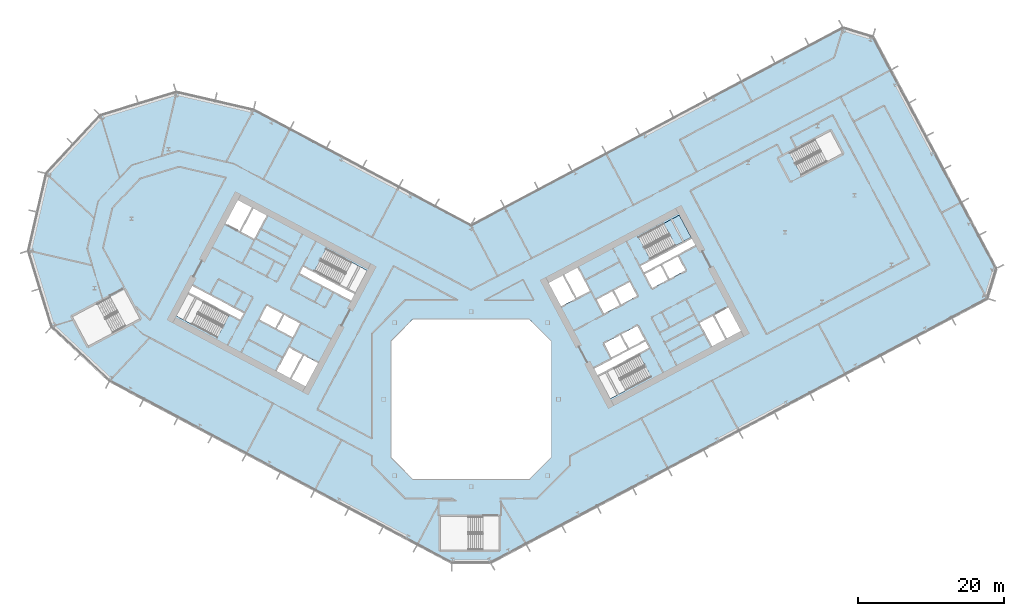
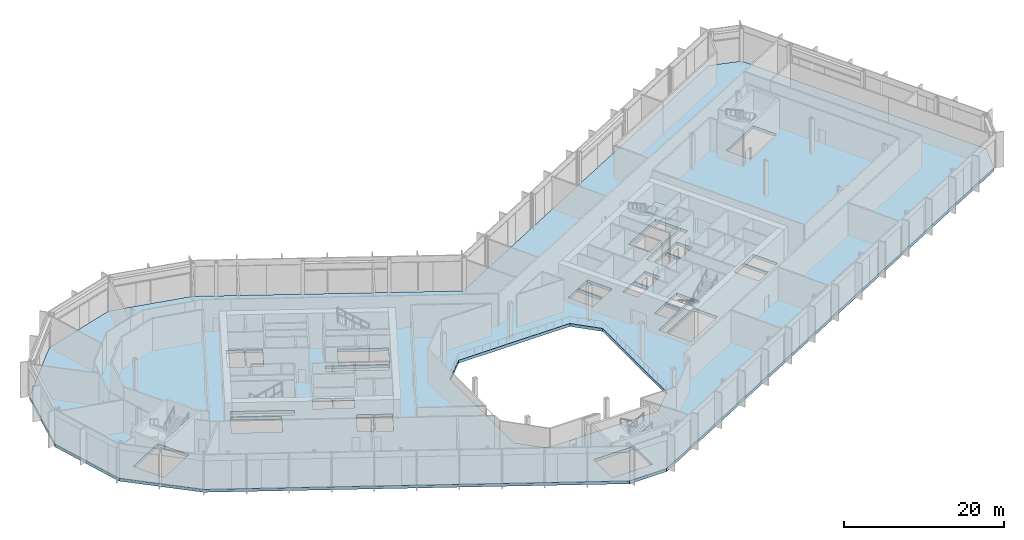
# One storey, part 10 of 31: 2 slabs, 1 element without a shape of its own.
"""IFC4 building model written with IfcOpenShell, lengths in metres."""

from ifc_helpers import new_model, si_unit, direction, frame, origin, place, context, subcontext, project, spatial, polyline, outline, extrude, material, layer, layer_set, type_object, element, aggregate, save


model = new_model("IFC4")

# Units and contexts
model_context = context("Model", 3, precision=1e-05, world=origin(), true_north=direction((0.0, 1.0)))
body_context = subcontext(model_context, "Body", "Model", "MODEL_VIEW")
ifc_project = project(units=[si_unit("LENGTHUNIT", "METRE"), si_unit("AREAUNIT", "SQUARE_METRE"), si_unit("VOLUMEUNIT", "CUBIC_METRE"), si_unit("PLANEANGLEUNIT", "RADIAN"), si_unit("MASSUNIT", "GRAM", prefix="KILO")], contexts=[model_context])

# Site, building, storey
site_placement = place(None, origin())
site = spatial("IfcSite", under=ifc_project, at=site_placement, CompositionType="ELEMENT")
building_placement = place(site_placement, origin())
building = spatial("IfcBuilding", under=site, at=building_placement, Name="Cormorant Relay Tower", CompositionType="ELEMENT")
storey_placement = place(building_placement, frame((0.0, 0.0, 12.199951171875)))
storey = spatial("IfcBuildingStorey", under=building, at=storey_placement, Name="L02", CompositionType="ELEMENT", Elevation=12.199951171875)

# Stair, slab
ifc_material_1 = material(Name="Concrete 40 MPa", Category="concrete")
stair_type = type_object("IfcStairType", Name="Exit stair 1500", PredefinedType="HALF_TURN_STAIR", material=ifc_material_1)
stair_placement = place(storey_placement, origin())
stair = element("IfcStair", 1, at=stair_placement, inside=storey, type_object=stair_type, Name="L02 Stair", PredefinedType="HALF_TURN_STAIR")
ifc_material_2 = material(Name="Concrete 40 MPa", Category="concrete")
ifc_layer_1 = layer(ifc_material_2, 0.199951171875)
ifc_layer_set_1 = layer_set([ifc_layer_1], Name="Exit stair landing 200")
slab_type_1 = type_object("IfcSlabType", Name="Exit stair landing 200", PredefinedType="LANDING", material=ifc_layer_set_1)
slab_1_placement = place(storey_placement, frame((0.0, 0.0, 2.5)))
slab_1 = element("IfcSlab", 2, at=slab_1_placement, type_object=slab_type_1, Name="B2 landing 1", PredefinedType="LANDING", context=body_context, shape_type="SweptSolid", body=[
    extrude(outline(polyline([(28.05322265625, 21.088623046875), (30.19873046875, 22.2294921875), (28.5791015625, 25.275634765625), (26.43359375, 24.134765625), (28.05322265625, 21.088623046875)])), origin(), (0.0, 0.0, 1.0), 0.199951171875),
])
aggregate(stair, [slab_1])

# Slab
ifc_material_3 = material(Name="Concrete 40 MPa", Category="concrete")
ifc_layer_2 = layer(ifc_material_3, 0.449951171875)
ifc_layer_set_2 = layer_set([ifc_layer_2], Name="Flat plate 450")
slab_type_2 = type_object("IfcSlabType", Name="Flat plate 450", PredefinedType="FLOOR", material=ifc_layer_set_2)
slab_2_placement = place(storey_placement, frame((0.0, 0.0, -0.449951171875)))
element("IfcSlab", 3, at=slab_2_placement, inside=storey, type_object=slab_type_2, Name="Floor slab L02", PredefinedType="FLOOR", context=body_context, shape_type="SweptSolid", body=[
    extrude(outline(polyline([(-60.7197265625, 20.393310546875), (-58.2744140625, 30.985107421875), (-50.86083984375, 38.935302734375), (-40.465576171875, 42.11328125), (-29.873779296875, 39.668212890625), (0.0, 23.783935546875), (51.064453125, 50.935302734375), (55.12158203125, 49.695068359375), (72.022705078125, 17.908935546875), (70.7822265625, 13.8515625), (2.648681640625, -22.37548828125), (-2.648681640625, -22.37548828125), (-49.591552734375, 2.584228515625), (-57.541748046875, 9.997802734375), (-60.7197265625, 20.393310546875)]), holes=[polyline([(11.0, -8.0), (11.0, 8.0), (8.0, 11.0), (-8.0, 11.0), (-11.0, 8.0), (-11.0, -8.0), (-8.0, -11.0), (8.0, -11.0), (11.0, -8.0)]), polyline([(-4.199951171875, -16.125), (-4.199951171875, -20.675048828125), (1.60009765625, -20.675048828125), (1.60009765625, -16.125), (-4.199951171875, -16.125)]), polyline([(-22.95458984375, 6.03271484375), (-24.668212890625, 2.81005859375), (-22.725830078125, 1.777099609375), (-21.01220703125, 5.0), (-23.04296875, 6.07958984375), (-22.95458984375, 6.03271484375)]), polyline([(-24.985595703125, 7.112548828125), (-26.69921875, 3.889892578125), (-24.844970703125, 2.90380859375), (-23.13134765625, 6.126708984375), (-23.04296875, 6.07958984375), (-24.985595703125, 7.112548828125)]), polyline([(-24.481201171875, 8.48681640625), (-23.448486328125, 10.42919921875), (-25.656005859375, 11.602783203125), (-26.688720703125, 9.660400390625), (-24.481201171875, 8.48681640625)]), polyline([(-49.57861328125, 14.0537109375), (-54.69970703125, 11.330810546875), (-52.563720703125, 7.3134765625), (-47.442626953125, 10.036376953125), (-49.57861328125, 14.0537109375)]), polyline([(-25.83251953125, 11.69677734375), (-28.039794921875, 12.870361328125), (-29.07275390625, 10.927978515625), (-26.865234375, 9.75439453125), (-25.83251953125, 11.69677734375)]), polyline([(-38.847900390625, 14.483154296875), (-40.46728515625, 11.43701171875), (-34.860595703125, 8.455810546875), (-33.240966796875, 11.502197265625), (-38.847900390625, 14.483154296875)]), polyline([(-38.260986328125, 15.5869140625), (-38.75390625, 14.659912109375), (-31.690185546875, 10.904052734375), (-31.197265625, 11.8310546875), (-38.260986328125, 15.5869140625)]), polyline([(14.3056640625, 13.779052734375), (12.592041015625, 17.001708984375), (10.649658203125, 15.968994140625), (12.36328125, 12.74609375), (14.39404296875, 13.825927734375), (14.3056640625, 13.779052734375)]), polyline([(16.33642578125, 14.85888671875), (14.622802734375, 18.08154296875), (12.768798828125, 17.095703125), (14.482421875, 13.872802734375), (14.39404296875, 13.825927734375), (16.33642578125, 14.85888671875)]), polyline([(-16.481689453125, 13.520263671875), (-15.989013671875, 14.447509765625), (-23.052490234375, 18.203125), (-23.54541015625, 17.276123046875), (-16.481689453125, 13.520263671875)]), polyline([(-21.501708984375, 17.605224609375), (-15.89501953125, 14.6240234375), (-14.275390625, 17.670166015625), (-19.882080078125, 20.6513671875), (-21.501708984375, 17.605224609375)]), polyline([(-31.611572265625, 22.980712890625), (-29.75732421875, 21.99462890625), (-28.043701171875, 25.217529296875), (-29.89794921875, 26.203369140625), (-31.611572265625, 22.980712890625)]), polyline([(-33.73046875, 24.107421875), (-31.7880859375, 23.074462890625), (-30.074462890625, 26.29736328125), (-32.01708984375, 27.330078125), (-33.73046875, 24.107421875)]), polyline([(23.087158203125, 6.10302734375), (17.48046875, 3.1220703125), (19.10009765625, 0.07568359375), (24.706787109375, 3.056884765625), (23.087158203125, 6.10302734375)]), polyline([(16.8935546875, 4.2255859375), (17.386474609375, 3.298583984375), (24.4501953125, 7.054443359375), (23.957275390625, 7.9814453125), (16.8935546875, 4.2255859375)]), polyline([(20.446533203125, 8.8330078125), (18.239013671875, 7.6591796875), (19.27197265625, 5.716796875), (21.479248046875, 6.890380859375), (20.446533203125, 8.8330078125)]), polyline([(20.623046875, 8.927001953125), (21.656005859375, 6.984375), (23.86328125, 8.158203125), (22.830322265625, 10.1005859375), (20.623046875, 8.927001953125)]), polyline([(33.197021484375, 11.478515625), (31.3427734375, 10.49267578125), (33.056396484375, 7.27001953125), (34.910400390625, 8.255859375), (33.197021484375, 11.478515625)]), polyline([(33.37353515625, 11.572509765625), (35.087158203125, 8.349609375), (37.029541015625, 9.382568359375), (35.31591796875, 12.605224609375), (33.37353515625, 11.572509765625)]), polyline([(17.19384765625, 13.67236328125), (18.2265625, 11.72998046875), (20.43408203125, 12.903564453125), (19.401123046875, 14.84619140625), (17.19384765625, 13.67236328125)]), polyline([(20.610595703125, 12.99755859375), (22.81787109375, 14.171142578125), (21.78515625, 16.113525390625), (19.57763671875, 14.93994140625), (20.610595703125, 12.99755859375)]), polyline([(26.023193359375, 18.3671875), (23.81591796875, 17.193359375), (24.8486328125, 15.2509765625), (27.05615234375, 16.424560546875), (26.023193359375, 18.3671875)]), polyline([(29.440185546875, 17.692138671875), (28.4072265625, 19.634765625), (26.19970703125, 18.4609375), (27.232666015625, 16.5185546875), (29.440185546875, 17.692138671875)]), polyline([(30.78564453125, 21.125732421875), (30.29248046875, 22.052978515625), (23.22900390625, 18.297119140625), (23.721923828125, 17.3701171875), (30.78564453125, 21.125732421875)]), polyline([(24.592041015625, 19.248291015625), (30.19873046875, 22.2294921875), (28.5791015625, 25.275634765625), (22.972412109375, 22.29443359375), (24.592041015625, 19.248291015625)]), polyline([(45.3349609375, 30.773681640625), (50.941650390625, 33.7548828125), (49.322021484375, 36.801025390625), (43.715087890625, 33.81982421875), (45.3349609375, 30.773681640625)])]), origin(), (0.0, 0.0, 1.0), 0.449951171875),
])

save(model, "model.ifc")
